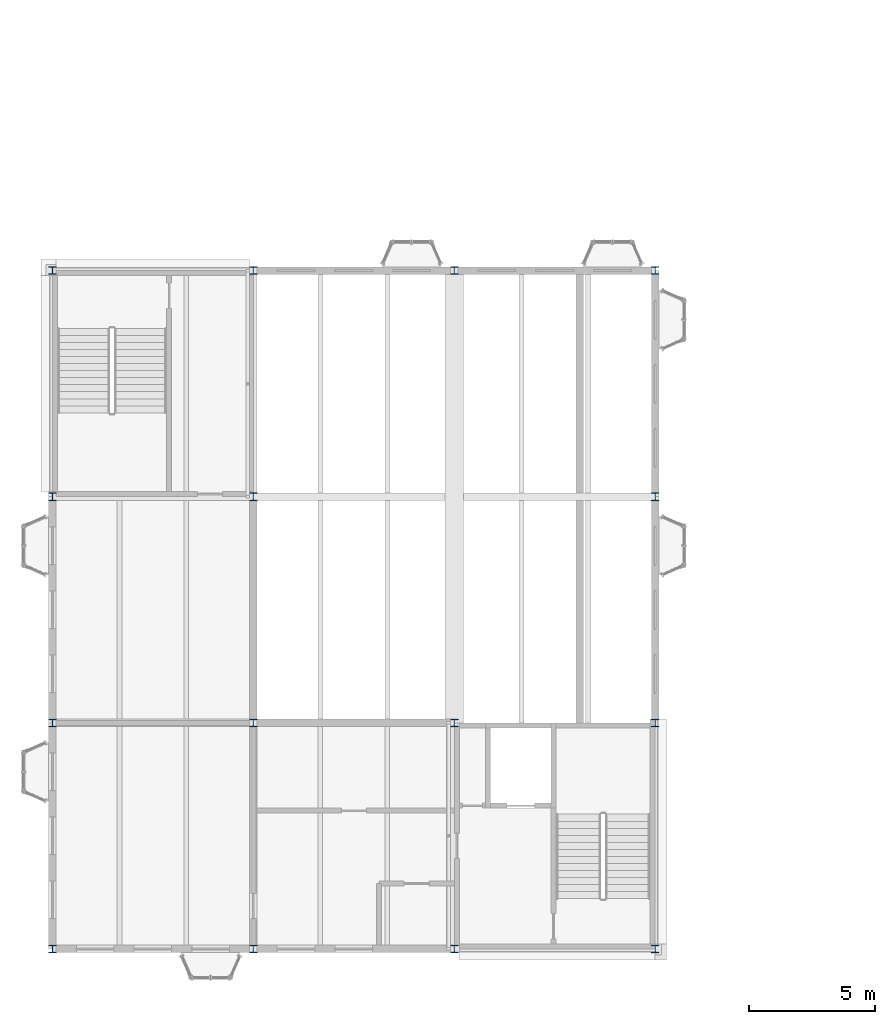
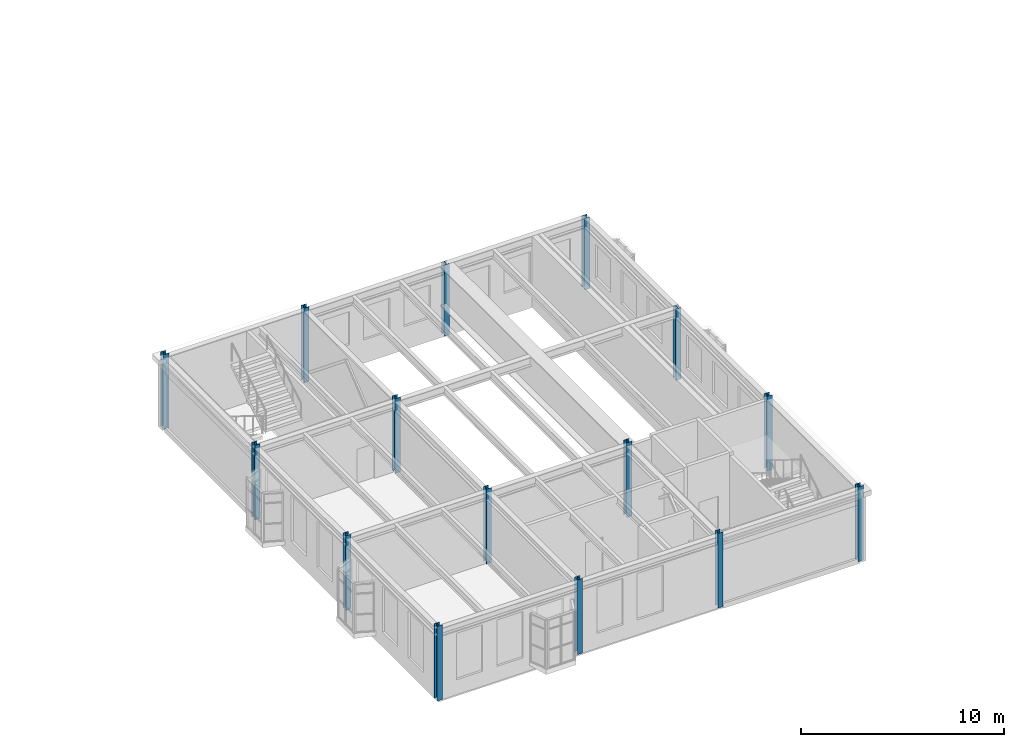
# One storey, part 1 of 153: 15 columns.
"""IFC4 building model written with IfcOpenShell, lengths in metres."""

import ifcopenshell
import ifcopenshell.guid

model = None  # the IFC model being written
_history = None  # IfcOwnerHistory: only IFC2X3 demands one
_inside = {}  # id of a spatial element -> (the spatial element, [elements in it])
_under = {}  # id of a project, library or spatial element -> (it, [spatial elements below it])
_declared = {}  # id of a project -> (the project, [libraries it declares])
_typed = {}  # id of a type object -> (the type object, [elements of that type])
_made_of = {}  # id of a material, layer set ... -> (it, [elements and type objects made of it])


def new_model(schema):
    """Start an empty IFC model of exactly this schema.

    Asked for "IFC4X3", IfcOpenShell would pick the latest addendum, in which some entities
    have other attributes; the version numbers below select the first issue.
    IFC2X3 requires an IfcOwnerHistory on every rooted entity: one is made here for all.
    """
    global model, _history
    if schema == "IFC4X3":
        model = ifcopenshell.file(schema_version=(4, 3, 0, 0))
    else:
        model = ifcopenshell.file(schema=schema)
    _inside.clear()
    _under.clear()
    _declared.clear()
    _typed.clear()
    _made_of.clear()
    _history = None
    if model.schema == "IFC2X3":
        org = make("IfcOrganization", Name="unknown")
        user = make(
            "IfcPersonAndOrganization",
            ThePerson=make("IfcPerson", FamilyName="unknown"),
            TheOrganization=org,
        )
        app = make(
            "IfcApplication",
            ApplicationDeveloper=org,
            Version="unknown",
            ApplicationFullName="unknown",
            ApplicationIdentifier="unknown",
        )
        _history = make(
            "IfcOwnerHistory",
            OwningUser=user,
            OwningApplication=app,
            ChangeAction="ADDED",
            CreationDate=0,
        )
    return model


def make(cls, **values):
    """One entity of the class cls with the attributes given. An attribute that is None is left unset."""
    return model.create_entity(
        cls, **{name: value for name, value in values.items() if value is not None}
    )


def rooted(cls, **values):
    """An entity with a GlobalId (a new one), such as an element, a storey or a relation."""
    return make(cls, GlobalId=ifcopenshell.guid.new(), OwnerHistory=_history, **values)


def si_unit(unit_type, name, prefix=None):
    """IfcSIUnit, for example si_unit("LENGTHUNIT", "METRE", prefix="MILLI")."""
    return make("IfcSIUnit", UnitType=unit_type, Prefix=prefix, Name=name)


def assignment(units):
    """IfcUnitAssignment: the units of a project."""
    return None if units is None else make("IfcUnitAssignment", Units=units)


def point(xyz):
    """IfcCartesianPoint."""
    return None if xyz is None else make("IfcCartesianPoint", Coordinates=xyz)


def direction(xyz):
    """IfcDirection."""
    return None if xyz is None else make("IfcDirection", DirectionRatios=xyz)


def frame(location, z_axis=None, x_axis=None):
    """IfcAxis2Placement3D, a coordinate frame: its origin and axes. An axis left out is left unset."""
    return make(
        "IfcAxis2Placement3D",
        Location=point(location),
        Axis=direction(z_axis),
        RefDirection=direction(x_axis),
    )


def frame_2d(location, x_axis=None):
    """IfcAxis2Placement2D, a coordinate frame in the plane: its origin and x axis."""
    return make(
        "IfcAxis2Placement2D", Location=point(location), RefDirection=direction(x_axis)
    )


def origin():
    """The frame at (0, 0, 0) with its axes left unset."""
    return frame((0.0, 0.0, 0.0))


def origin_2d():
    """The frame at (0, 0) in the plane with its x axis left unset."""
    return frame_2d((0.0, 0.0))


def place(relative_to, where):
    """IfcLocalPlacement: puts the frame where relative to a parent placement (None: the world)."""
    return make(
        "IfcLocalPlacement", PlacementRelTo=relative_to, RelativePlacement=where
    )


def context(
    kind, dimensions, precision=None, world=None, true_north=None, identifier=None
):
    """IfcGeometricRepresentationContext, for example the 3D "Model" context."""
    return make(
        "IfcGeometricRepresentationContext",
        ContextIdentifier=identifier,
        ContextType=kind,
        CoordinateSpaceDimension=dimensions,
        Precision=precision,
        WorldCoordinateSystem=world,
        TrueNorth=true_north,
    )


def subcontext(parent, identifier, kind, view, scale=None):
    """IfcGeometricRepresentationSubContext, for example "Body" below "Model"."""
    return make(
        "IfcGeometricRepresentationSubContext",
        ContextIdentifier=identifier,
        ContextType=kind,
        ParentContext=parent,
        TargetScale=scale,
        TargetView=view,
    )


def project(units=None, contexts=None):
    """IfcProject with its units and contexts."""
    return rooted(
        "IfcProject",
        Name="project",
        RepresentationContexts=contexts,
        UnitsInContext=assignment(units),
    )


def spatial(cls, under=None, at=None, **own):
    """A site, building, storey or space (cls), placed at a placement, below another one or the project."""
    s = rooted(cls, ObjectPlacement=at, **own)
    if under is not None:
        _under.setdefault(under.id(), (under, []))[1].append(s)
    return s


def profile(cls, at=None, kind="AREA", **sizes):
    """A parametric profile (cls). Its sizes go by their IFC names, for example OverallWidth=200.0."""
    return make(cls, ProfileType=kind, Position=at, **sizes)


def i_section(**sizes):
    """IfcIShapeProfileDef."""
    return profile("IfcIShapeProfileDef", **sizes)


def extrude(swept, where, along, depth):
    """IfcExtrudedAreaSolid: the profile swept, set in the frame where, extruded along a direction by depth."""
    return make(
        "IfcExtrudedAreaSolid",
        SweptArea=swept,
        Position=where,
        ExtrudedDirection=direction(along),
        Depth=depth,
    )


def shape(context_of_items, identifier, shape_type, items):
    """IfcShapeRepresentation: the items that make up one representation, for example the "Body"."""
    return make(
        "IfcShapeRepresentation",
        ContextOfItems=context_of_items,
        RepresentationIdentifier=identifier,
        RepresentationType=shape_type,
        Items=items,
    )


def material(Name=None, Category=None):
    """IfcMaterial."""
    return make("IfcMaterial", Name=Name, Category=Category)


def material_profile(
    of_material, cross_section, Name=None, Category=None, Priority=None
):
    """IfcMaterialProfile: a cross section and its material."""
    return make(
        "IfcMaterialProfile",
        Name=Name,
        Material=of_material,
        Profile=cross_section,
        Priority=Priority,
        Category=Category,
    )


def profile_set(profiles, Name=None, composite=None):
    """IfcMaterialProfileSet."""
    return make(
        "IfcMaterialProfileSet",
        Name=Name,
        MaterialProfiles=profiles,
        CompositeProfile=composite,
    )


def made_of(thing, what):
    """Note that an element or type object is made of a material, layer set ...; save() writes the relation."""
    if what is not None:
        _made_of.setdefault(what.id(), (what, []))[1].append(thing)
    return thing


def type_object(cls, material=None, **own):
    """A type object (cls), such as IfcWallType, which elements share."""
    return made_of(rooted(cls, **own), material)


def element(
    cls,
    number,
    at=None,
    inside=None,
    cuts=None,
    type_object=None,
    material=None,
    context=None,
    identifier="Body",
    shape_type=None,
    held_by="IfcProductDefinitionShape",
    body=None,
    shapes=None,
    **own,
):
    """One element of the class cls, such as IfcWall. Its Tag is "e" and its number.

    at: its placement. inside: the storey or other place that contains it. cuts: it is an
    opening in that element (IfcRelVoidsElement). A single representation is given by context,
    identifier, shape_type and body (its items); several are given by shapes. held_by: the class
    of the entity that holds the representations. save() writes the other relations.
    """
    e = rooted(cls, Tag="e%d" % number, ObjectPlacement=at, **own)
    if body is not None:
        shapes = [shape(context, identifier, shape_type, body)]
    if shapes is not None:
        e.Representation = make(held_by, Representations=shapes)
    if inside is not None:
        _inside.setdefault(inside.id(), (inside, []))[1].append(e)
    if cuts is not None:
        rooted(
            "IfcRelVoidsElement", RelatingBuildingElement=cuts, RelatedOpeningElement=e
        )
    if type_object is not None:
        _typed.setdefault(type_object.id(), (type_object, []))[1].append(e)
    return made_of(e, material)


def aggregate(whole, parts):
    """IfcRelAggregates: a whole, such as a stair, and the parts it consists of."""
    return rooted("IfcRelAggregates", RelatingObject=whole, RelatedObjects=parts)


def save(model, path):
    """Write the relations noted so far, then the file.

    IfcRelAggregates (storeys below a building ...), IfcRelContainedInSpatialStructure (elements
    in a storey), IfcRelDefinesByType, IfcRelAssociatesMaterial and IfcRelDeclares: one each for
    every whole, place, type object, material and project.
    """
    for whole, parts in _under.values():
        aggregate(whole, parts)
    for where, things in _inside.values():
        rooted(
            "IfcRelContainedInSpatialStructure",
            RelatedElements=things,
            RelatingStructure=where,
        )
    for kind, things in _typed.values():
        rooted("IfcRelDefinesByType", RelatedObjects=things, RelatingType=kind)
    for what, things in _made_of.values():
        rooted("IfcRelAssociatesMaterial", RelatedObjects=things, RelatingMaterial=what)
    for by, libraries in _declared.values():
        rooted("IfcRelDeclares", RelatingContext=by, RelatedDefinitions=libraries)
    model.write(path)


model = new_model("IFC4")

# Units and contexts
model_context = context("Model", 3, precision=1e-05, world=origin(), true_north=direction((0.0, 1.0)))
body_context = subcontext(model_context, "Body", "Model", "MODEL_VIEW")
ifc_project = project(units=[si_unit("LENGTHUNIT", "METRE"), si_unit("AREAUNIT", "SQUARE_METRE"), si_unit("VOLUMEUNIT", "CUBIC_METRE"), si_unit("PLANEANGLEUNIT", "RADIAN"), si_unit("MASSUNIT", "GRAM", prefix="KILO")], contexts=[model_context])

# Site, building, storey
site_placement = place(None, origin())
site = spatial("IfcSite", under=ifc_project, at=site_placement, CompositionType="ELEMENT")
building_placement = place(site_placement, origin())
building = spatial("IfcBuilding", under=site, at=building_placement, Name="Kallimachos Central Library", CompositionType="ELEMENT")
storey_placement = place(building_placement, frame((0.0, 0.0, 5.39990234375)))
storey = spatial("IfcBuildingStorey", under=building, at=storey_placement, Name="L01", CompositionType="ELEMENT", Elevation=5.39990234375)

# Columns
ifc_material = material(Name="Steel S355J2", Category="steel")
ifc_material_profile = material_profile(ifc_material, i_section(OverallWidth=0.300048828125, OverallDepth=0.300048828125, WebThickness=0.010986328125, FlangeThickness=0.01904296875, FilletRadius=0.027099609375, at=origin_2d()), Name="HEB 300")
ifc_profile_set = profile_set([ifc_material_profile], Name="Steel S355J2")
column_type = type_object("IfcColumnType", Name="HEB 300 column", PredefinedType="COLUMN", material=ifc_profile_set)
for number, where, z_axis, x_axis, name in (
    (1, (6.0, 9.0, 0.0), (0.0, 0.0, 1.0), (1.0, 0.0, 0.0), "V6-COL-L01-001"),
    (2, (6.0, 18.0, 0.0), (0.0, 0.0, 1.0), (1.0, 0.0, 0.0), "V6-COL-L01-002"),
    (3, (6.0, 27.0, 0.0), (0.0, 0.0, 1.0), (1.0, 0.0, 0.0), "V6-COL-L01-003"),
    (4, (6.0, 36.0, 0.0), (0.0, 0.0, 1.0), (1.0, 0.0, 0.0), "V6-COL-L01-004"),
    (5, (14.0, 9.0, 0.0), (0.0, 0.0, 1.0), (1.0, 0.0, 0.0), "V6-COL-L01-005"),
    (6, (14.0, 18.0, 0.0), (0.0, 0.0, 1.0), (1.0, 0.0, 0.0), "V6-COL-L01-006"),
    (7, (14.0, 27.0, 0.0), (0.0, 0.0, 1.0), (1.0, 0.0, 0.0), "V6-COL-L01-007"),
    (8, (14.0, 36.0, 0.0), (0.0, 0.0, 1.0), (1.0, 0.0, 0.0), "V6-COL-L01-008"),
    (9, (22.0, 9.0, 0.0), (0.0, 0.0, 1.0), (1.0, 0.0, 0.0), "V6-COL-L01-009"),
    (10, (22.0, 18.0, 0.0), (0.0, 0.0, 1.0), (1.0, 0.0, 0.0), "V6-COL-L01-010"),
    (11, (30.0, 9.0, 0.0), (0.0, 0.0, 1.0), (1.0, 0.0, 0.0), "V6-COL-L01-011"),
    (12, (30.0, 18.0, 0.0), (0.0, 0.0, 1.0), (1.0, 0.0, 0.0), "V6-COL-L01-012"),
):
    element("IfcColumn", number, at=place(storey_placement, frame(where, z_axis=z_axis, x_axis=x_axis)), inside=storey, type_object=column_type, Name=name, PredefinedType="COLUMN", context=body_context, shape_type="SweptSolid", body=[
        extrude(i_section(OverallWidth=0.300048828125, OverallDepth=0.300048828125, WebThickness=0.010986328125, FlangeThickness=0.01904296875, FilletRadius=0.027099609375, at=origin_2d()), origin(), (0.0, 0.0, 1.0), 4.5),
    ])
for number, where, z_axis, x_axis, name in (
    (13, (22.0, 36.0, 0.0), (0.0, 0.0, 1.0), (1.0, 0.0, 0.0), "V6-COL-L01-013"),
    (14, (30.0, 27.0, 0.0), (0.0, 0.0, 1.0), (1.0, 0.0, 0.0), "V6-COL-L01-014"),
    (15, (30.0, 36.0, 0.0), (0.0, 0.0, 1.0), (1.0, 0.0, 0.0), "V6-COL-L01-015"),
):
    element("IfcColumn", number, at=place(storey_placement, frame(where, z_axis=z_axis, x_axis=x_axis)), inside=storey, type_object=column_type, Name=name, PredefinedType="COLUMN", context=body_context, shape_type="SweptSolid", body=[
        extrude(i_section(OverallWidth=0.300048828125, OverallDepth=0.300048828125, WebThickness=0.010986328125, FlangeThickness=0.01904296875, FilletRadius=0.027099609375, at=origin_2d()), origin(), (0.0, 0.0, 1.0), 4.300048828125),
    ])

save(model, "model.ifc")
